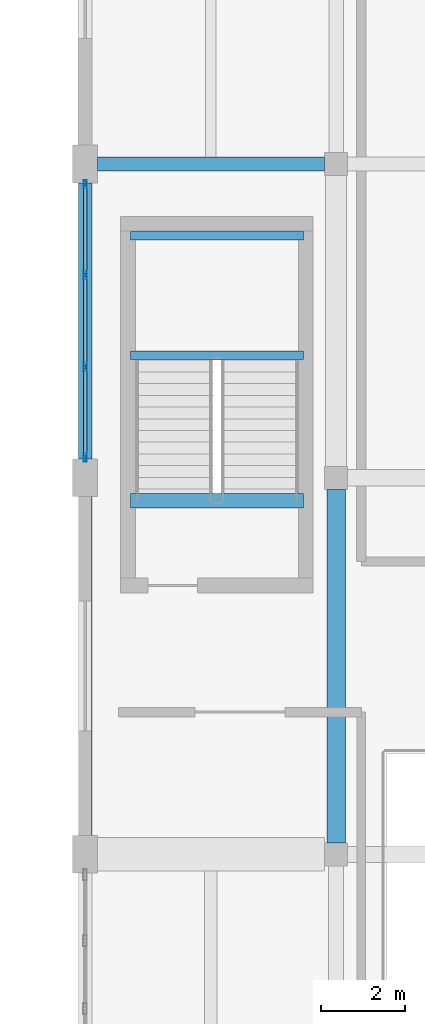
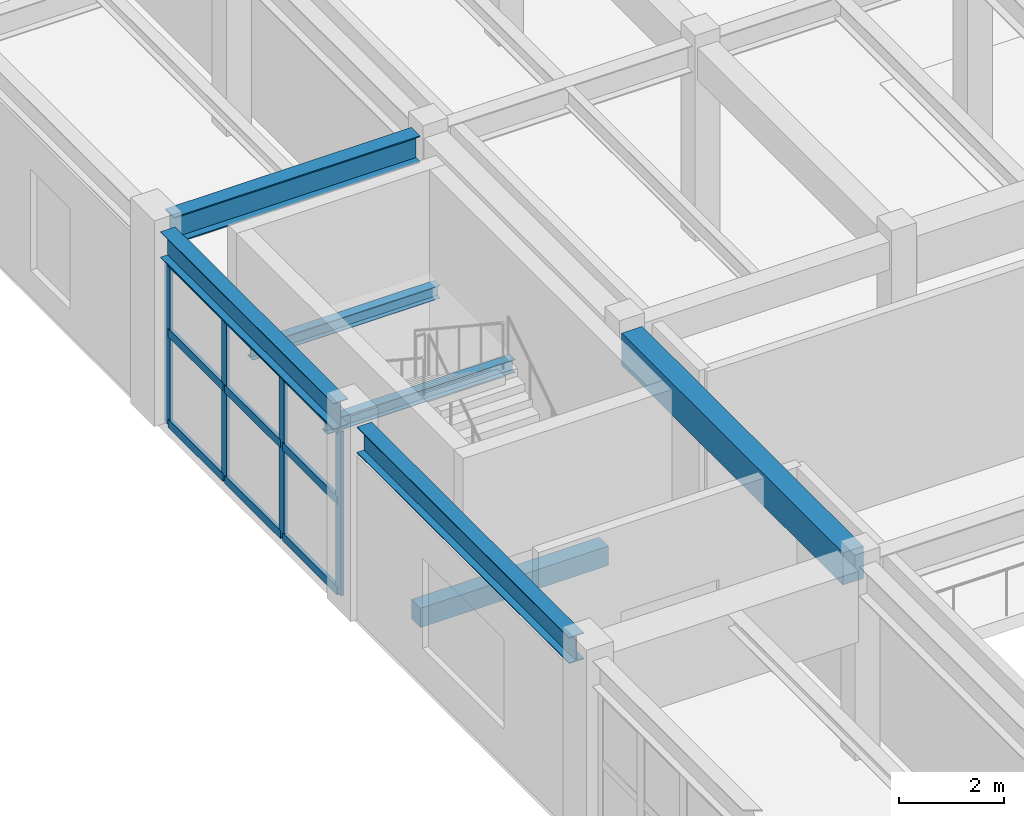
# One storey, part 34 of 96: 13 members, 7 beams, 1 element without a shape of its own.
"""IFC4 building model written with IfcOpenShell, lengths in metres."""

from ifc_helpers import new_model, si_unit, direction, frame, origin, origin_2d, place, context, subcontext, project, spatial, rectangle, hollow_rectangle, i_section, extrude, material, layer, layer_set, material_profile, profile_set, type_object, element, aggregate, save


model = new_model("IFC4")

# Units and contexts
model_context = context("Model", 3, precision=1e-05, world=origin(), true_north=direction((0.0, 1.0)))
body_context = subcontext(model_context, "Body", "Model", "MODEL_VIEW")
ifc_project = project(units=[si_unit("LENGTHUNIT", "METRE"), si_unit("AREAUNIT", "SQUARE_METRE"), si_unit("VOLUMEUNIT", "CUBIC_METRE"), si_unit("PLANEANGLEUNIT", "RADIAN"), si_unit("MASSUNIT", "GRAM", prefix="KILO")], contexts=[model_context])

# Site, building, storey
site_placement = place(None, origin())
site = spatial("IfcSite", under=ifc_project, at=site_placement, CompositionType="ELEMENT")
building_placement = place(site_placement, origin())
building = spatial("IfcBuilding", under=site, at=building_placement, Name="Vaelkrest Opera House", CompositionType="ELEMENT")
storey_placement = place(building_placement, frame((0.0, 0.0, 5.39990234375)))
storey = spatial("IfcBuildingStorey", under=building, at=storey_placement, Name="L01", CompositionType="ELEMENT", Elevation=5.39990234375)

# Beams
ifc_material_1 = material(Name="Concrete C50/60", Category="concrete")
ifc_material_profile_1 = material_profile(ifc_material_1, rectangle(XDim=0.449951171875, YDim=0.75, at=origin_2d()), Name="RCB450X750")
ifc_profile_set_1 = profile_set([ifc_material_profile_1], Name="Concrete C50/60")
beam_type_1 = type_object("IfcBeamType", Name="B02", PredefinedType="BEAM", material=ifc_profile_set_1)
beam_1_placement = place(storey_placement, frame((-69.60009765625, 1.47509765625, 4.125), z_axis=(0.0, 1.0, 0.0), x_axis=(-1.0, 0.0, 0.0)))
element("IfcBeam", 1, at=beam_1_placement, inside=storey, type_object=beam_type_1, Name="Beam BM-V3-L01-1559", PredefinedType="BEAM", context=body_context, shape_type="SweptSolid", body=[
    extrude(rectangle(XDim=0.449951171875, YDim=0.75, at=origin_2d()), origin(), (0.0, 0.0, 1.0), 8.449951171875),
])
ifc_material_2 = material(Name="Steel A992 Gr50", Category="steel")
ifc_material_profile_2 = material_profile(ifc_material_2, i_section(OverallWidth=0.327880859375, OverallDepth=0.6279296875, WebThickness=0.0166015625, FlangeThickness=0.027587890625, at=origin_2d()), Name="W24X146")
ifc_profile_set_2 = profile_set([ifc_material_profile_2], Name="Steel A992 Gr50")
beam_type_2 = type_object("IfcBeamType", Name="B09", PredefinedType="BEAM", material=ifc_profile_set_2)
beam_2_placement = place(storey_placement, frame((-75.300048828125, 17.699951171875, 4.18603515625), z_axis=(1.0, 0.0, 0.0), x_axis=(0.0, 1.0, 0.0)))
element("IfcBeam", 2, at=beam_2_placement, inside=storey, type_object=beam_type_2, Name="Beam BM-V3-L01-1530", PredefinedType="BEAM", context=body_context, shape_type="SweptSolid", body=[
    extrude(i_section(OverallWidth=0.327880859375, OverallDepth=0.6279296875, WebThickness=0.0166015625, FlangeThickness=0.027587890625, at=origin_2d()), origin(), (0.0, 0.0, 1.0), 5.425048828125),
])

# Curtain wall, members
ifc_material_3 = material(Name="Dark bronze anodized aluminium", Category="aluminium")
ifc_layer = layer(ifc_material_3, 0.22998046875)
ifc_layer_set = layer_set([ifc_layer], Name="Dark bronze anodized aluminium")
curtain_wall_type = type_object("IfcCurtainWallType", Name="CW06", PredefinedType="NOTDEFINED", material=ifc_layer_set)
curtain_wall_placement = place(storey_placement, origin())
curtain_wall = element("IfcCurtainWall", 3, at=curtain_wall_placement, inside=storey, type_object=curtain_wall_type, Name="Curtain wall CW-L01-104", PredefinedType="NOTDEFINED")
ifc_material_profile_3 = material_profile(ifc_material_3, hollow_rectangle(XDim=0.070068359375, YDim=0.199951171875, WallThickness=0.004150390625, at=origin_2d()), Name="CWM70X200")
ifc_profile_set_3 = profile_set([ifc_material_profile_3], Name="Dark bronze anodized aluminium")
member_type_1 = type_object("IfcMemberType", Name="CWM02", PredefinedType="MULLION", material=ifc_profile_set_3)
member_1_placement = place(storey_placement, frame((-75.60009765625, 10.68310546875, 0.0), z_axis=(0.0, 0.0, 1.0), x_axis=(-1.0, 0.0, 0.0)))
member_1 = element("IfcMember", 4, at=member_1_placement, type_object=member_type_1, Name="CW06 mullion 1", PredefinedType="MULLION", context=body_context, shape_type="SweptSolid", body=[
    extrude(hollow_rectangle(XDim=0.070068359375, YDim=0.199951171875, WallThickness=0.004150390625, at=origin_2d()), origin(), (0.0, 0.0, 1.0), 3.82421875),
])
member_2_placement = place(storey_placement, frame((-75.60009765625, 12.849365234375, 0.0), z_axis=(0.0, 0.0, 1.0), x_axis=(-1.0, 0.0, 0.0)))
member_2 = element("IfcMember", 5, at=member_2_placement, type_object=member_type_1, Name="CW06 mullion 2", PredefinedType="MULLION", context=body_context, shape_type="SweptSolid", body=[
    extrude(hollow_rectangle(XDim=0.070068359375, YDim=0.199951171875, WallThickness=0.004150390625, at=origin_2d()), origin(), (0.0, 0.0, 1.0), 3.82421875),
])
member_3_placement = place(storey_placement, frame((-75.60009765625, 15.05078125, 0.0), z_axis=(0.0, 0.0, 1.0), x_axis=(-1.0, 0.0, 0.0)))
member_3 = element("IfcMember", 6, at=member_3_placement, type_object=member_type_1, Name="CW06 mullion 3", PredefinedType="MULLION", context=body_context, shape_type="SweptSolid", body=[
    extrude(hollow_rectangle(XDim=0.070068359375, YDim=0.199951171875, WallThickness=0.004150390625, at=origin_2d()), origin(), (0.0, 0.0, 1.0), 3.82421875),
])
member_4_placement = place(storey_placement, frame((-75.60009765625, 17.217041015625, 0.0), z_axis=(0.0, 0.0, 1.0), x_axis=(-1.0, 0.0, 0.0)))
member_4 = element("IfcMember", 7, at=member_4_placement, type_object=member_type_1, Name="CW06 mullion 4", PredefinedType="MULLION", context=body_context, shape_type="SweptSolid", body=[
    extrude(hollow_rectangle(XDim=0.070068359375, YDim=0.199951171875, WallThickness=0.004150390625, at=origin_2d()), origin(), (0.0, 0.0, 1.0), 3.82421875),
])
ifc_material_profile_4 = material_profile(ifc_material_3, hollow_rectangle(XDim=0.080078125, YDim=0.18994140625, WallThickness=0.0048828125, at=origin_2d()), Name="CWT80X190")
ifc_profile_set_4 = profile_set([ifc_material_profile_4], Name="Dark bronze anodized aluminium")
member_type_2 = type_object("IfcMemberType", Name="CWT04", PredefinedType="USERDEFINED", material=ifc_profile_set_4)
member_5_placement = place(storey_placement, frame((-75.60009765625, 10.718017578125, 0.0400390625), z_axis=(0.0, 1.0, 0.0), x_axis=(-1.0, 0.0, 0.0)))
member_5 = element("IfcMember", 8, at=member_5_placement, type_object=member_type_2, Name="CW06 transom 1.1", ObjectType="TRANSOM", PredefinedType="USERDEFINED", context=body_context, shape_type="SweptSolid", body=[
    extrude(hollow_rectangle(XDim=0.080078125, YDim=0.18994140625, WallThickness=0.0048828125, at=origin_2d()), origin(), (0.0, 0.0, 1.0), 2.096435546875),
])
member_6_placement = place(storey_placement, frame((-75.60009765625, 10.718017578125, 2.150146484375), z_axis=(0.0, 1.0, 0.0), x_axis=(-1.0, 0.0, 0.0)))
member_6 = element("IfcMember", 9, at=member_6_placement, type_object=member_type_2, Name="CW06 transom 1.2", ObjectType="TRANSOM", PredefinedType="USERDEFINED", context=body_context, shape_type="SweptSolid", body=[
    extrude(hollow_rectangle(XDim=0.080078125, YDim=0.18994140625, WallThickness=0.0048828125, at=origin_2d()), origin(), (0.0, 0.0, 1.0), 2.096435546875),
])
member_7_placement = place(storey_placement, frame((-75.60009765625, 10.718017578125, 3.7841796875), z_axis=(0.0, 1.0, 0.0), x_axis=(-1.0, 0.0, 0.0)))
member_7 = element("IfcMember", 10, at=member_7_placement, type_object=member_type_2, Name="CW06 transom 1.3", ObjectType="TRANSOM", PredefinedType="USERDEFINED", context=body_context, shape_type="SweptSolid", body=[
    extrude(hollow_rectangle(XDim=0.080078125, YDim=0.18994140625, WallThickness=0.0048828125, at=origin_2d()), origin(), (0.0, 0.0, 1.0), 2.096435546875),
])
member_8_placement = place(storey_placement, frame((-75.60009765625, 12.88427734375, 0.0400390625), z_axis=(0.0, 1.0, 0.0), x_axis=(-1.0, 0.0, 0.0)))
member_8 = element("IfcMember", 11, at=member_8_placement, type_object=member_type_2, Name="CW06 transom 2.1", ObjectType="TRANSOM", PredefinedType="USERDEFINED", context=body_context, shape_type="SweptSolid", body=[
    extrude(hollow_rectangle(XDim=0.080078125, YDim=0.18994140625, WallThickness=0.0048828125, at=origin_2d()), origin(), (0.0, 0.0, 1.0), 2.13134765625),
])
member_9_placement = place(storey_placement, frame((-75.60009765625, 12.88427734375, 2.150146484375), z_axis=(0.0, 1.0, 0.0), x_axis=(-1.0, 0.0, 0.0)))
member_9 = element("IfcMember", 12, at=member_9_placement, type_object=member_type_2, Name="CW06 transom 2.2", ObjectType="TRANSOM", PredefinedType="USERDEFINED", context=body_context, shape_type="SweptSolid", body=[
    extrude(hollow_rectangle(XDim=0.080078125, YDim=0.18994140625, WallThickness=0.0048828125, at=origin_2d()), origin(), (0.0, 0.0, 1.0), 2.13134765625),
])
member_10_placement = place(storey_placement, frame((-75.60009765625, 12.88427734375, 3.7841796875), z_axis=(0.0, 1.0, 0.0), x_axis=(-1.0, 0.0, 0.0)))
member_10 = element("IfcMember", 13, at=member_10_placement, type_object=member_type_2, Name="CW06 transom 2.3", ObjectType="TRANSOM", PredefinedType="USERDEFINED", context=body_context, shape_type="SweptSolid", body=[
    extrude(hollow_rectangle(XDim=0.080078125, YDim=0.18994140625, WallThickness=0.0048828125, at=origin_2d()), origin(), (0.0, 0.0, 1.0), 2.13134765625),
])
member_11_placement = place(storey_placement, frame((-75.60009765625, 15.085693359375, 0.0400390625), z_axis=(0.0, 1.0, 0.0), x_axis=(-1.0, 0.0, 0.0)))
member_11 = element("IfcMember", 14, at=member_11_placement, type_object=member_type_2, Name="CW06 transom 3.1", ObjectType="TRANSOM", PredefinedType="USERDEFINED", context=body_context, shape_type="SweptSolid", body=[
    extrude(hollow_rectangle(XDim=0.080078125, YDim=0.18994140625, WallThickness=0.0048828125, at=origin_2d()), origin(), (0.0, 0.0, 1.0), 2.09619140625),
])
member_12_placement = place(storey_placement, frame((-75.60009765625, 15.085693359375, 2.150146484375), z_axis=(0.0, 1.0, 0.0), x_axis=(-1.0, 0.0, 0.0)))
member_12 = element("IfcMember", 15, at=member_12_placement, type_object=member_type_2, Name="CW06 transom 3.2", ObjectType="TRANSOM", PredefinedType="USERDEFINED", context=body_context, shape_type="SweptSolid", body=[
    extrude(hollow_rectangle(XDim=0.080078125, YDim=0.18994140625, WallThickness=0.0048828125, at=origin_2d()), origin(), (0.0, 0.0, 1.0), 2.09619140625),
])
member_13_placement = place(storey_placement, frame((-75.60009765625, 15.085693359375, 3.7841796875), z_axis=(0.0, 1.0, 0.0), x_axis=(-1.0, 0.0, 0.0)))
member_13 = element("IfcMember", 16, at=member_13_placement, type_object=member_type_2, Name="CW06 transom 3.3", ObjectType="TRANSOM", PredefinedType="USERDEFINED", context=body_context, shape_type="SweptSolid", body=[
    extrude(hollow_rectangle(XDim=0.080078125, YDim=0.18994140625, WallThickness=0.0048828125, at=origin_2d()), origin(), (0.0, 0.0, 1.0), 2.09619140625),
])
aggregate(curtain_wall, [member_1, member_2, member_3, member_4, member_5, member_6, member_7, member_8, member_9, member_10, member_11, member_12, member_13])

# Beams
ifc_material_profile_5 = material_profile(ifc_material_2, i_section(OverallWidth=0.202880859375, OverallDepth=0.302978515625, WebThickness=0.007568359375, FlangeThickness=0.01318359375, at=origin_2d()), Name="W12X40")
ifc_profile_set_5 = profile_set([ifc_material_profile_5], Name="Steel A992 Gr50")
beam_type_3 = type_object("IfcBeamType", Name="J02", PredefinedType="JOIST", material=ifc_profile_set_5)
for number, where, z_axis, x_axis, name in (
    (17, (-74.52001953125, 13.1298828125, 2.048583984375), (1.0, 0.0, 0.0), (0.0, 1.0, 0.0), "Stair landing bearer beam ST07 L01-1N"),
    (18, (-74.52001953125, 15.97998046875, 2.048583984375), (1.0, 0.0, 0.0), (0.0, 1.0, 0.0), "Stair landing bearer beam ST07 L01-1F"),
):
    element("IfcBeam", number, at=place(storey_placement, frame(where, z_axis=z_axis, x_axis=x_axis)), inside=storey, type_object=beam_type_3, Name=name, PredefinedType="JOIST", context=body_context, shape_type="SweptSolid", body=[
        extrude(i_section(OverallWidth=0.202880859375, OverallDepth=0.302978515625, WebThickness=0.007568359375, FlangeThickness=0.01318359375, at=origin_2d()), origin(), (0.0, 0.0, 1.0), 4.14013671875),
    ])
ifc_material_profile_6 = material_profile(ifc_material_1, rectangle(XDim=0.35009765625, YDim=0.449951171875, at=origin_2d()), Name="RCB350X450")
ifc_profile_set_6 = profile_set([ifc_material_profile_6], Name="Concrete C50/60")
beam_type_4 = type_object("IfcBeamType", Name="LN01", PredefinedType="LINTEL", material=ifc_profile_set_6)
beam_3_placement = place(storey_placement, frame((-74.52001953125, 9.64990234375, -0.224853515625), z_axis=(1.0, 0.0, 0.0), x_axis=(0.0, 1.0, 0.0)))
element("IfcBeam", 19, at=beam_3_placement, inside=storey, type_object=beam_type_4, Name="Stairwell trimmer beam ST07 L01", PredefinedType="LINTEL", context=body_context, shape_type="SweptSolid", body=[
    extrude(rectangle(XDim=0.35009765625, YDim=0.449951171875, at=origin_2d()), origin(), (0.0, 0.0, 1.0), 4.14013671875),
])
ifc_material_profile_7 = material_profile(ifc_material_2, i_section(OverallWidth=0.323974609375, OverallDepth=0.611083984375, WebThickness=0.0126953125, FlangeThickness=0.01904296875, at=origin_2d()), Name="W24X104")
ifc_profile_set_7 = profile_set([ifc_material_profile_7], Name="Steel A992 Gr50")
beam_type_5 = type_object("IfcBeamType", Name="SP01", PredefinedType="SPANDREL", material=ifc_profile_set_7)
beam_4_placement = place(storey_placement, frame((-75.60009765625, 1.64990234375, 4.194580078125), z_axis=(0.0, 1.0, 0.0), x_axis=(-1.0, 0.0, 0.0)))
element("IfcBeam", 20, at=beam_4_placement, inside=storey, type_object=beam_type_5, Name="Beam BM-V3-L01-1553", PredefinedType="SPANDREL", context=body_context, shape_type="SweptSolid", body=[
    extrude(i_section(OverallWidth=0.323974609375, OverallDepth=0.611083984375, WebThickness=0.0126953125, FlangeThickness=0.01904296875, at=origin_2d()), origin(), (0.0, 0.0, 1.0), 8.10009765625),
])
beam_5_placement = place(storey_placement, frame((-75.60009765625, 10.64990234375, 4.194580078125), z_axis=(0.0, 1.0, 0.0), x_axis=(-1.0, 0.0, 0.0)))
element("IfcBeam", 21, at=beam_5_placement, inside=storey, type_object=beam_type_5, Name="Beam BM-V3-L01-1554", PredefinedType="SPANDREL", context=body_context, shape_type="SweptSolid", body=[
    extrude(i_section(OverallWidth=0.323974609375, OverallDepth=0.611083984375, WebThickness=0.0126953125, FlangeThickness=0.01904296875, at=origin_2d()), origin(), (0.0, 0.0, 1.0), 6.60009765625),
])

save(model, "model.ifc")
